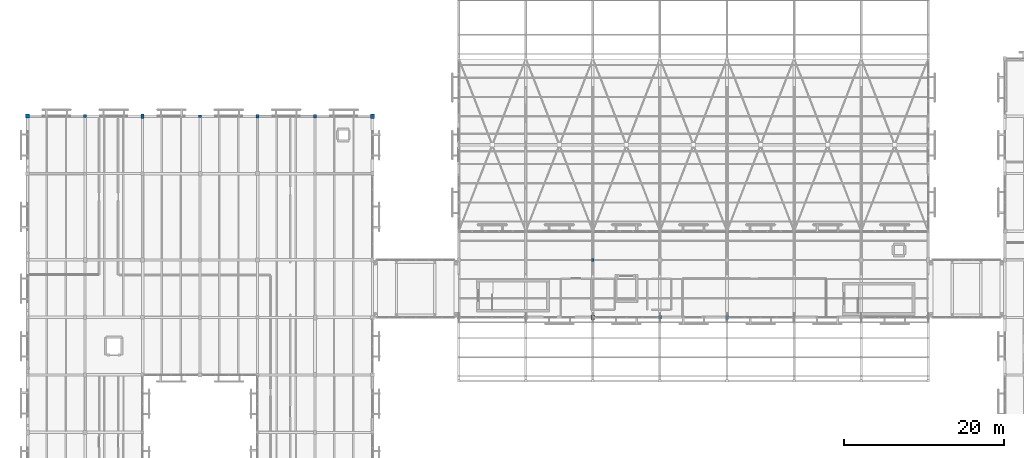
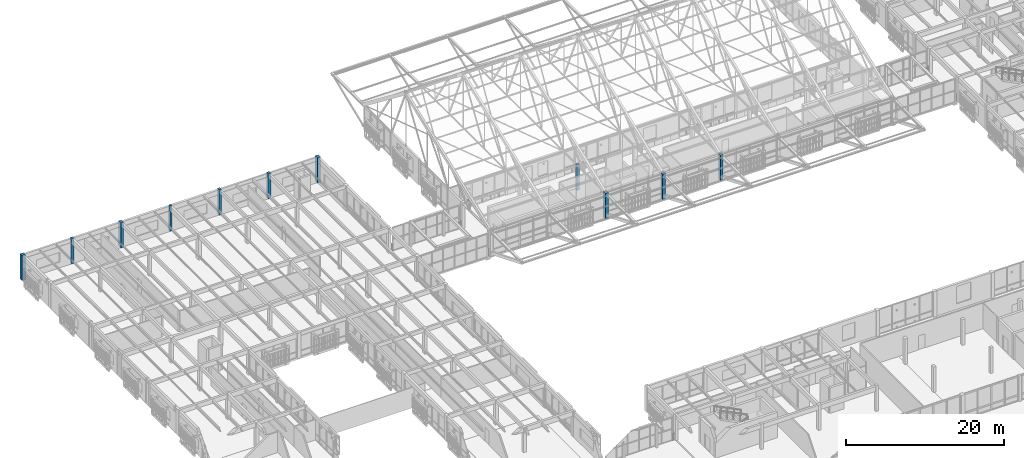
# One storey, part 10 of 217: 11 columns.
"""IFC4 building model written with IfcOpenShell, lengths in metres."""

from ifc_helpers import new_model, si_unit, direction, frame, origin, origin_2d, place, context, subcontext, project, spatial, rectangle, extrude, material, material_profile, profile_set, type_object, element, save


model = new_model("IFC4")

# Units and contexts
model_context = context("Model", 3, precision=1e-05, world=origin(), true_north=direction((0.0, 1.0)))
body_context = subcontext(model_context, "Body", "Model", "MODEL_VIEW")
ifc_project = project(units=[si_unit("LENGTHUNIT", "METRE"), si_unit("AREAUNIT", "SQUARE_METRE"), si_unit("VOLUMEUNIT", "CUBIC_METRE"), si_unit("PLANEANGLEUNIT", "RADIAN"), si_unit("MASSUNIT", "GRAM", prefix="KILO")], contexts=[model_context])

# Site, building, storey
site_placement = place(None, origin())
site = spatial("IfcSite", under=ifc_project, at=site_placement, CompositionType="ELEMENT")
building_placement = place(site_placement, origin())
building = spatial("IfcBuilding", under=site, at=building_placement, Name="Mazaris Harbour Polytechnic", CompositionType="ELEMENT")
storey_placement = place(building_placement, frame((0.0, 0.0, 9.60009765625)))
storey = spatial("IfcBuildingStorey", under=building, at=storey_placement, Name="L02", CompositionType="ELEMENT", Elevation=9.60009765625)

# Columns
ifc_material_1 = material(Name="Glulam GL28h", Category="wood")
ifc_material_profile_1 = material_profile(ifc_material_1, rectangle(XDim=0.340087890625, YDim=0.340087890625, at=origin_2d()), Name="RECT340x340")
ifc_profile_set_1 = profile_set([ifc_material_profile_1], Name="Glulam GL28h")
column_type_1 = type_object("IfcColumnType", Name="Glulam Column 340x340", PredefinedType="COLUMN", material=ifc_profile_set_1)
column_1_placement = place(storey_placement, frame((70.800048828125, 82.800048828125, 0.0), z_axis=(0.0, 0.0, 1.0), x_axis=(1.0, 0.0, 0.0)))
element("IfcColumn", 1, at=column_1_placement, inside=storey, type_object=column_type_1, Name="V1 L02 Column 160", PredefinedType="COLUMN", context=body_context, shape_type="SweptSolid", body=[
    extrude(rectangle(XDim=0.340087890625, YDim=0.340087890625, at=origin_2d()), origin(), (0.0, 0.0, 1.0), 3.9599609375),
])
ifc_material_2 = material(Name="Glulam GL28h", Category="wood")
ifc_material_profile_2 = material_profile(ifc_material_2, rectangle(XDim=0.340087890625, YDim=0.340087890625, at=origin_2d()), Name="RECT340x340")
ifc_profile_set_2 = profile_set([ifc_material_profile_2], Name="Glulam GL28h")
column_type_2 = type_object("IfcColumnType", Name="Glulam Column 340x340 Exterior", PredefinedType="COLUMN", material=ifc_profile_set_2)
column_2_placement = place(storey_placement, frame((21.60009765625, 100.800048828125, 0.0), z_axis=(0.0, 0.0, 1.0), x_axis=(1.0, 0.0, 0.0)))
element("IfcColumn", 2, at=column_2_placement, inside=storey, type_object=column_type_2, Name="V4 L02 Column 864", PredefinedType="COLUMN", context=body_context, shape_type="SweptSolid", body=[
    extrude(rectangle(XDim=0.340087890625, YDim=0.340087890625, at=origin_2d()), origin(), (0.0, 0.0, 1.0), 3.889892578125),
])
ifc_material_3 = material(Name="Glulam GL28h", Category="wood")
ifc_material_profile_3 = material_profile(ifc_material_3, rectangle(XDim=0.360107421875, YDim=0.47998046875, at=origin_2d()), Name="RECT360x480")
ifc_profile_set_3 = profile_set([ifc_material_profile_3], Name="Glulam GL28h")
column_type_3 = type_object("IfcColumnType", Name="Glulam Column 360x480 Exterior", PredefinedType="COLUMN", material=ifc_profile_set_3)
column_3_placement = place(storey_placement, frame((87.60009765625, 75.60009765625, 0.0), z_axis=(0.0, 0.0, 1.0), x_axis=(1.0, 0.0, 0.0)))
element("IfcColumn", 3, at=column_3_placement, inside=storey, type_object=column_type_3, Name="V1 L02 Column 165", PredefinedType="COLUMN", context=body_context, shape_type="SweptSolid", body=[
    extrude(rectangle(XDim=0.360107421875, YDim=0.47998046875, at=origin_2d()), origin(), (0.0, 0.0, 1.0), 3.9599609375),
])
column_4_placement = place(storey_placement, frame((28.800048828125, 100.800048828125, 0.0), z_axis=(0.0, 0.0, 1.0), x_axis=(1.0, 0.0, 0.0)))
element("IfcColumn", 4, at=column_4_placement, inside=storey, type_object=column_type_3, Name="V4 L02 Column 877", PredefinedType="COLUMN", context=body_context, shape_type="SweptSolid", body=[
    extrude(rectangle(XDim=0.360107421875, YDim=0.47998046875, at=origin_2d()), origin(), (0.0, 0.0, 1.0), 3.889892578125),
])
ifc_material_4 = material(Name="Glulam GL28h", Category="wood")
ifc_material_profile_4 = material_profile(ifc_material_4, rectangle(XDim=0.3798828125, YDim=0.3798828125, at=origin_2d()), Name="RECT380x380")
ifc_profile_set_4 = profile_set([ifc_material_profile_4], Name="Glulam GL28h")
column_type_4 = type_object("IfcColumnType", Name="Glulam Column 380x380 Exterior", PredefinedType="COLUMN", material=ifc_profile_set_4)
column_5_placement = place(storey_placement, frame((7.199951171875, 100.800048828125, 0.0), z_axis=(0.0, 0.0, 1.0), x_axis=(1.0, 0.0, 0.0)))
element("IfcColumn", 5, at=column_5_placement, inside=storey, type_object=column_type_4, Name="V4 L02 Column 841", PredefinedType="COLUMN", context=body_context, shape_type="SweptSolid", body=[
    extrude(rectangle(XDim=0.3798828125, YDim=0.3798828125, at=origin_2d()), origin(), (0.0, 0.0, 1.0), 3.889892578125),
])
ifc_material_5 = material(Name="Glulam GL28h", Category="wood")
ifc_material_profile_5 = material_profile(ifc_material_5, rectangle(XDim=0.39990234375, YDim=0.5400390625, at=origin_2d()), Name="RECT400x540")
ifc_profile_set_5 = profile_set([ifc_material_profile_5], Name="Glulam GL28h")
column_type_5 = type_object("IfcColumnType", Name="Glulam Column 400x540 Exterior", PredefinedType="COLUMN", material=ifc_profile_set_5)
column_6_placement = place(storey_placement, frame((14.39990234375, 100.800048828125, 0.0), z_axis=(0.0, 0.0, 1.0), x_axis=(1.0, 0.0, 0.0)))
element("IfcColumn", 6, at=column_6_placement, inside=storey, type_object=column_type_5, Name="V4 L02 Column 854", PredefinedType="COLUMN", context=body_context, shape_type="SweptSolid", body=[
    extrude(rectangle(XDim=0.39990234375, YDim=0.5400390625, at=origin_2d()), origin(), (0.0, 0.0, 1.0), 3.889892578125),
])
ifc_material_6 = material(Name="Glulam GL28h", Category="wood")
ifc_material_profile_6 = material_profile(ifc_material_6, rectangle(XDim=0.419921875, YDim=0.419921875, at=origin_2d()), Name="RECT420x420")
ifc_profile_set_6 = profile_set([ifc_material_profile_6], Name="Glulam GL28h")
column_type_6 = type_object("IfcColumnType", Name="Glulam Column 420x420 Exterior", PredefinedType="COLUMN", material=ifc_profile_set_6)
column_7_placement = place(storey_placement, frame((79.199951171875, 75.60009765625, 0.0), z_axis=(0.0, 0.0, 1.0), x_axis=(1.0, 0.0, 0.0)))
element("IfcColumn", 7, at=column_7_placement, inside=storey, type_object=column_type_6, Name="V1 L02 Column 162", PredefinedType="COLUMN", context=body_context, shape_type="SweptSolid", body=[
    extrude(rectangle(XDim=0.419921875, YDim=0.419921875, at=origin_2d()), origin(), (0.0, 0.0, 1.0), 3.9599609375),
])
column_8_placement = place(storey_placement, frame((36.0, 100.800048828125, 0.0), z_axis=(0.0, 0.0, 1.0), x_axis=(1.0, 0.0, 0.0)))
element("IfcColumn", 8, at=column_8_placement, inside=storey, type_object=column_type_6, Name="V4 L02 Column 890", PredefinedType="COLUMN", context=body_context, shape_type="SweptSolid", body=[
    extrude(rectangle(XDim=0.419921875, YDim=0.419921875, at=origin_2d()), origin(), (0.0, 0.0, 1.0), 3.889892578125),
])
ifc_material_7 = material(Name="Glulam GL28h", Category="wood")
ifc_material_profile_7 = material_profile(ifc_material_7, rectangle(XDim=0.43994140625, YDim=0.60009765625, at=origin_2d()), Name="RECT440x600")
ifc_profile_set_7 = profile_set([ifc_material_profile_7], Name="Glulam GL28h")
column_type_7 = type_object("IfcColumnType", Name="Glulam Column 440x600 Exterior", PredefinedType="COLUMN", material=ifc_profile_set_7)
column_9_placement = place(storey_placement, frame((70.800048828125, 75.60009765625, 0.0), z_axis=(0.0, 0.0, 1.0), x_axis=(1.0, 0.0, 0.0)))
element("IfcColumn", 9, at=column_9_placement, inside=storey, type_object=column_type_7, Name="V1 L02 Column 159", PredefinedType="COLUMN", context=body_context, shape_type="SweptSolid", body=[
    extrude(rectangle(XDim=0.43994140625, YDim=0.60009765625, at=origin_2d()), origin(), (0.0, 0.0, 1.0), 3.9599609375),
])
column_10_placement = place(storey_placement, frame((43.199951171875, 100.800048828125, 0.0), z_axis=(0.0, 0.0, 1.0), x_axis=(1.0, 0.0, 0.0)))
element("IfcColumn", 10, at=column_10_placement, inside=storey, type_object=column_type_7, Name="V4 L02 Column 903", PredefinedType="COLUMN", context=body_context, shape_type="SweptSolid", body=[
    extrude(rectangle(XDim=0.43994140625, YDim=0.60009765625, at=origin_2d()), origin(), (0.0, 0.0, 1.0), 3.889892578125),
])
ifc_material_8 = material(Name="Glulam GL28h", Category="wood")
ifc_material_profile_8 = material_profile(ifc_material_8, rectangle(XDim=0.5, YDim=0.5, at=origin_2d()), Name="RECT500x500")
ifc_profile_set_8 = profile_set([ifc_material_profile_8], Name="Glulam GL28h")
column_type_8 = type_object("IfcColumnType", Name="Glulam Column 500x500 Exterior", PredefinedType="COLUMN", material=ifc_profile_set_8)
column_11_placement = place(storey_placement, frame((0.0, 100.800048828125, 0.0), z_axis=(0.0, 0.0, 1.0), x_axis=(1.0, 0.0, 0.0)))
element("IfcColumn", 11, at=column_11_placement, inside=storey, type_object=column_type_8, Name="V4 L02 Column 828", PredefinedType="COLUMN", context=body_context, shape_type="SweptSolid", body=[
    extrude(rectangle(XDim=0.5, YDim=0.5, at=origin_2d()), origin(), (0.0, 0.0, 1.0), 3.889892578125),
])

save(model, "model.ifc")
